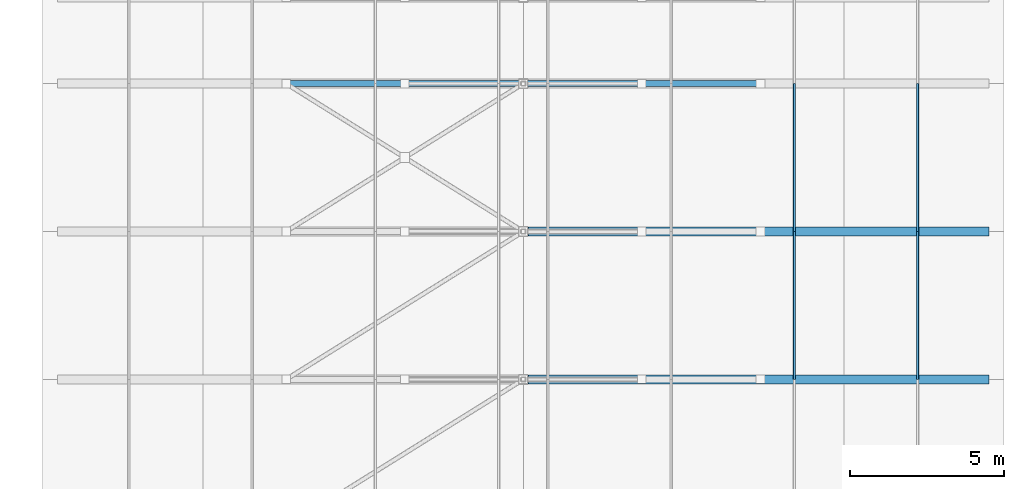
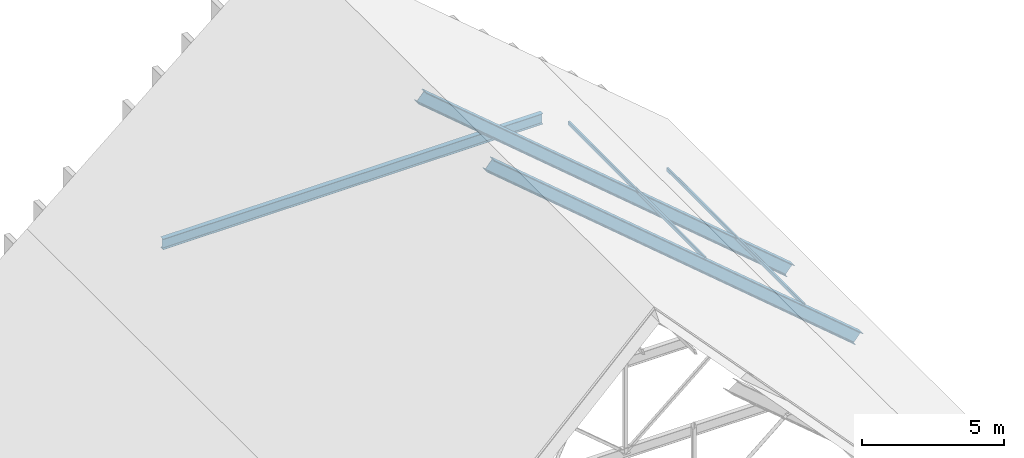
# One storey, part 32 of 60: 4 members, 3 beams.
"""IFC4 building model written with IfcOpenShell, lengths in metres."""

from ifc_helpers import new_model, si_unit, direction, frame, origin, origin_2d, place, context, subcontext, project, spatial, hollow_rectangle, i_section, extrude, material, material_profile, profile_set, type_object, element, save


model = new_model("IFC4")

# Units and contexts
model_context = context("Model", 3, precision=1e-05, world=origin(), true_north=direction((0.0, 1.0)))
body_context = subcontext(model_context, "Body", "Model", "MODEL_VIEW")
ifc_project = project(units=[si_unit("LENGTHUNIT", "METRE"), si_unit("AREAUNIT", "SQUARE_METRE"), si_unit("VOLUMEUNIT", "CUBIC_METRE"), si_unit("PLANEANGLEUNIT", "RADIAN"), si_unit("MASSUNIT", "GRAM", prefix="KILO")], contexts=[model_context])

# Site, building, storey
site_placement = place(None, origin())
site = spatial("IfcSite", under=ifc_project, at=site_placement, CompositionType="ELEMENT")
building_placement = place(site_placement, origin())
building = spatial("IfcBuilding", under=site, at=building_placement, Name="Nakhvara Creek Congress Hotel", CompositionType="ELEMENT")
storey_placement = place(building_placement, frame((0.0, 0.0, 54.60009765625)))
storey = spatial("IfcBuildingStorey", under=building, at=storey_placement, Name="RL1", CompositionType="ELEMENT", Elevation=54.60009765625)

# Beams
ifc_material_1 = material(Name="Steel S355J2", Category="steel")
ifc_material_profile_1 = material_profile(ifc_material_1, i_section(OverallWidth=0.300048828125, OverallDepth=0.5, WebThickness=0.014404296875, FlangeThickness=0.028076171875, FilletRadius=0.027099609375, at=origin_2d()), Name="HEB 500", Category="LoadBearing")
ifc_profile_set_1 = profile_set([ifc_material_profile_1], Name="Steel S355J2")
beam_type_1 = type_object("IfcBeamType", Name="BM-ST-HEB500", PredefinedType="BEAM", material=ifc_profile_set_1)
for number, where, z_axis, x_axis, name in (
    (1, (164.39990234375, 111.60009765625, 8.11376953125), (0.763392905421, 0.0, -0.645934417687), (0.0, 1.0, 0.0), "Hotel Gothic Gable East Rafter 09"),
    (2, (164.39990234375, 116.39990234375, 8.11376953125), (0.763392905421, 0.0, -0.645934417687), (0.0, 1.0, 0.0), "Hotel Gothic Gable East Rafter 10"),
):
    element("IfcBeam", number, at=place(storey_placement, frame(where, z_axis=z_axis, x_axis=x_axis)), inside=storey, type_object=beam_type_1, Name=name, PredefinedType="BEAM", context=body_context, shape_type="SweptSolid", body=[
        extrude(i_section(OverallWidth=0.300048828125, OverallDepth=0.5, WebThickness=0.014404296875, FlangeThickness=0.028076171875, FilletRadius=0.027099609375, at=origin_2d()), origin(), (0.0, 0.0, 1.0), 19.583984375),
    ])
ifc_material_profile_2 = material_profile(ifc_material_1, i_section(OverallWidth=0.1904296875, OverallDepth=0.45703125, WebThickness=0.009033203125, FlangeThickness=0.014404296875, FilletRadius=0.01025390625, at=origin_2d()), Name="UB 457x191x74", Category="LoadBearing")
ifc_profile_set_2 = profile_set([ifc_material_profile_2], Name="Steel S355J2")
beam_type_2 = type_object("IfcBeamType", Name="BM-ST-UB457", PredefinedType="BEAM", material=ifc_profile_set_2)
beam_placement = place(storey_placement, frame((156.70166015625, 121.199951171875, 1.599853515625), z_axis=(1.0, 0.0, 0.0), x_axis=(0.0, 1.0, 0.0)))
element("IfcBeam", 3, at=beam_placement, inside=storey, type_object=beam_type_2, Name="Hotel Gothic Gable Collar Tie 11", PredefinedType="BEAM", context=body_context, shape_type="SweptSolid", body=[
    extrude(i_section(OverallWidth=0.1904296875, OverallDepth=0.45703125, WebThickness=0.009033203125, FlangeThickness=0.014404296875, FilletRadius=0.01025390625, at=origin_2d()), origin(), (0.0, 0.0, 1.0), 15.396728515625),
])

# Members
ifc_material_2 = material(Name="Steel S355J2H", Category="steel")
ifc_material_profile_3 = material_profile(ifc_material_2, hollow_rectangle(XDim=0.080078125, YDim=0.159912109375, WallThickness=0.00634765625, InnerFilletRadius=0.00634765625, OuterFilletRadius=0.0126953125, at=origin_2d()), Name="RHS 160x80x6.3", Category="LoadBearing")
ifc_profile_set_3 = profile_set([ifc_material_profile_3], Name="Steel S355J2H")
member_type = type_object("IfcMemberType", Name="MEM-PUR-RHS160", PredefinedType="PURLIN", material=ifc_profile_set_3)
member_1_placement = place(storey_placement, frame((173.199951171875, 111.60009765625, 0.98779296875), z_axis=(0.0, 1.0, 0.0), x_axis=(-1.0, 0.0, 0.0)))
element("IfcMember", 4, at=member_1_placement, inside=storey, type_object=member_type, Name="Hotel Gable Purlin PR03-7.09", PredefinedType="PURLIN", context=body_context, shape_type="SweptSolid", body=[
    extrude(hollow_rectangle(XDim=0.080078125, YDim=0.159912109375, WallThickness=0.00634765625, InnerFilletRadius=0.00634765625, OuterFilletRadius=0.0126953125, at=origin_2d()), origin(), (0.0, 0.0, 1.0), 4.7998046875),
])
member_2_placement = place(storey_placement, frame((173.199951171875, 116.39990234375, 0.98779296875), z_axis=(0.0, 1.0, 0.0), x_axis=(-1.0, 0.0, 0.0)))
element("IfcMember", 5, at=member_2_placement, inside=storey, type_object=member_type, Name="Hotel Gable Purlin PR03-7.10", PredefinedType="PURLIN", context=body_context, shape_type="SweptSolid", body=[
    extrude(hollow_rectangle(XDim=0.080078125, YDim=0.159912109375, WallThickness=0.00634765625, InnerFilletRadius=0.00634765625, OuterFilletRadius=0.0126953125, at=origin_2d()), origin(), (0.0, 0.0, 1.0), 4.800048828125),
])
member_3_placement = place(storey_placement, frame((177.199951171875, 111.60009765625, -2.39697265625), z_axis=(0.0, 1.0, 0.0), x_axis=(-1.0, 0.0, 0.0)))
element("IfcMember", 6, at=member_3_placement, inside=storey, type_object=member_type, Name="Hotel Gable Purlin PR03-8.09", PredefinedType="PURLIN", context=body_context, shape_type="SweptSolid", body=[
    extrude(hollow_rectangle(XDim=0.080078125, YDim=0.159912109375, WallThickness=0.00634765625, InnerFilletRadius=0.00634765625, OuterFilletRadius=0.0126953125, at=origin_2d()), origin(), (0.0, 0.0, 1.0), 4.7998046875),
])
member_4_placement = place(storey_placement, frame((177.199951171875, 116.39990234375, -2.39697265625), z_axis=(0.0, 1.0, 0.0), x_axis=(-1.0, 0.0, 0.0)))
element("IfcMember", 7, at=member_4_placement, inside=storey, type_object=member_type, Name="Hotel Gable Purlin PR03-8.10", PredefinedType="PURLIN", context=body_context, shape_type="SweptSolid", body=[
    extrude(hollow_rectangle(XDim=0.080078125, YDim=0.159912109375, WallThickness=0.00634765625, InnerFilletRadius=0.00634765625, OuterFilletRadius=0.0126953125, at=origin_2d()), origin(), (0.0, 0.0, 1.0), 4.800048828125),
])

save(model, "model.ifc")
